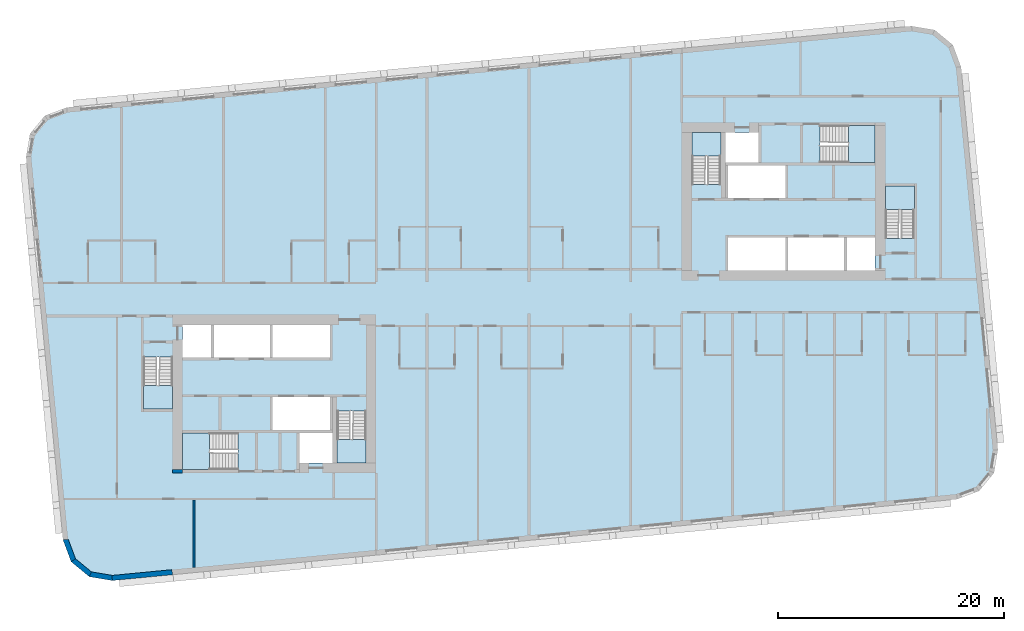
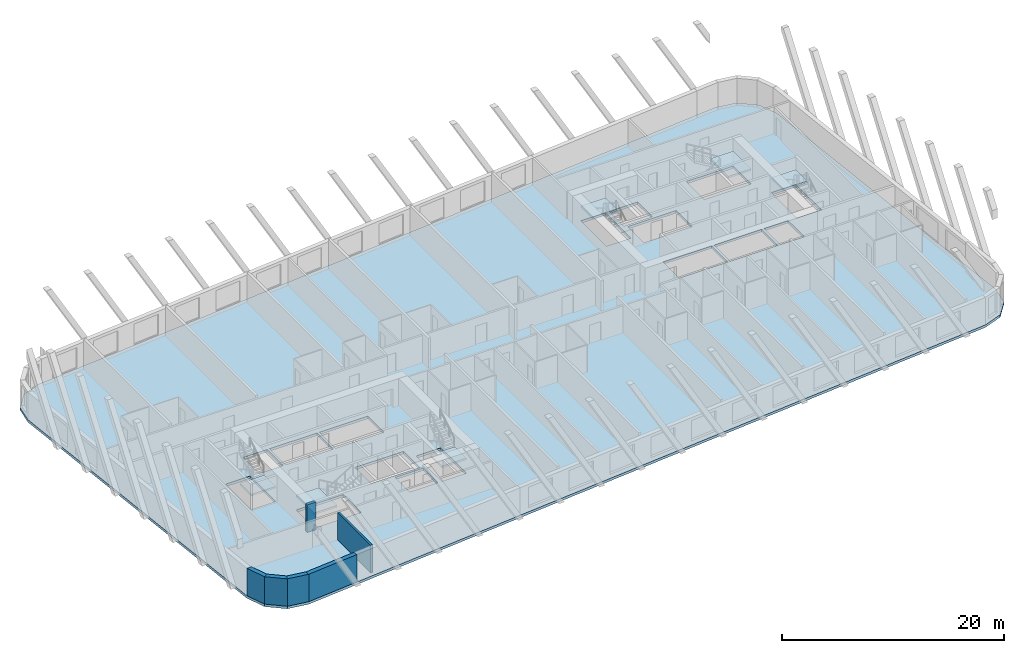
# One storey, part 1 of 13: 7 slabs, 6 walls, 6 elements without a shape of their own.
"""IFC4 building model written with IfcOpenShell, lengths in metres."""

from ifc_helpers import new_model, si_unit, direction, frame, frame_2d, origin, place, context, subcontext, project, spatial, polyline, rectangle, outline, extrude, material, layer, layer_set, type_object, element, aggregate, save


model = new_model("IFC4")

# Units and contexts
model_context = context("Model", 3, precision=1e-05, world=origin(), true_north=direction((0.0, 1.0)))
body_context = subcontext(model_context, "Body", "Model", "MODEL_VIEW")
ifc_project = project(units=[si_unit("LENGTHUNIT", "METRE"), si_unit("AREAUNIT", "SQUARE_METRE"), si_unit("VOLUMEUNIT", "CUBIC_METRE"), si_unit("PLANEANGLEUNIT", "RADIAN"), si_unit("MASSUNIT", "GRAM", prefix="KILO")], contexts=[model_context])

# Site, building, storey
site_placement = place(None, origin())
site = spatial("IfcSite", under=ifc_project, at=site_placement, CompositionType="ELEMENT")
building_placement = place(site_placement, origin())
building = spatial("IfcBuilding", under=site, at=building_placement, Name="Kajstack Hotel Tower", CompositionType="ELEMENT")
storey_placement = place(building_placement, frame((0.0, 0.0, 186.699951171875)))
storey = spatial("IfcBuildingStorey", under=building, at=storey_placement, Name="L44", CompositionType="ELEMENT", Elevation=186.699951171875)

# Slab
ifc_material_1 = material(Name="Concrete C40/50", Category="concrete")
ifc_layer_1 = layer(ifc_material_1, 0.280029296875)
ifc_layer_set_1 = layer_set([ifc_layer_1], Name="RC slab 280 C40/50 guest")
slab_type_1 = type_object("IfcSlabType", Name="RC slab 280 C40/50 guest", PredefinedType="FLOOR", material=ifc_layer_set_1)
slab_1_placement = place(storey_placement, frame((0.0, 0.0, -0.280029296875)))
element("IfcSlab", 1, at=slab_1_placement, inside=storey, type_object=slab_type_1, Name="S-slab-L44", PredefinedType="FLOOR", context=body_context, shape_type="SweptSolid", body=[
    extrude(outline(polyline([(-44.438232421875, 12.444091796875), (-41.1796875, -21.3994140625), (-40.454345703125, -23.3388671875), (-38.856689453125, -24.65576171875), (-36.814697265625, -24.99755859375), (37.840087890625, -17.80908203125), (39.779541015625, -17.083984375), (41.0966796875, -15.486328125), (41.438232421875, -13.444091796875), (38.1796875, 20.3994140625), (37.454345703125, 22.3388671875), (35.856689453125, 23.65576171875), (33.814697265625, 23.99755859375), (-40.840087890625, 16.80908203125), (-42.779541015625, 16.083984375), (-44.0966796875, 14.486328125), (-44.438232421875, 12.444091796875)]), holes=[polyline([(-22.64990234375, -11.699951171875), (-22.64990234375, -8.800048828125), (-17.60009765625, -8.800048828125), (-17.60009765625, -11.699951171875), (-22.64990234375, -11.699951171875)]), polyline([(-27.85009765625, -5.300048828125), (-27.85009765625, -2.39990234375), (-22.89990234375, -2.39990234375), (-22.89990234375, -5.300048828125), (-27.85009765625, -5.300048828125)]), polyline([(-22.64990234375, -5.300048828125), (-22.64990234375, -2.39990234375), (-17.60009765625, -2.39990234375), (-17.60009765625, -5.300048828125), (-22.64990234375, -5.300048828125)]), polyline([(-20.300048828125, -14.60009765625), (-17.35009765625, -14.60009765625), (-17.35009765625, -11.949951171875), (-20.300048828125, -11.949951171875), (-20.300048828125, -14.60009765625)]), polyline([(-30.60009765625, -5.300048828125), (-28.10009765625, -5.300048828125), (-28.10009765625, -2.39990234375), (-30.60009765625, -2.39990234375), (-30.60009765625, -5.300048828125)]), polyline([(17.60009765625, 8.800048828125), (17.60009765625, 11.699951171875), (22.64990234375, 11.699951171875), (22.64990234375, 8.800048828125), (17.60009765625, 8.800048828125)]), polyline([(22.89990234375, 2.39990234375), (22.89990234375, 5.300048828125), (27.85009765625, 5.300048828125), (27.85009765625, 2.39990234375), (22.89990234375, 2.39990234375)]), polyline([(17.60009765625, 2.39990234375), (17.60009765625, 5.300048828125), (22.64990234375, 5.300048828125), (22.64990234375, 2.39990234375), (17.60009765625, 2.39990234375)]), polyline([(20.300048828125, 14.60009765625), (17.35009765625, 14.60009765625), (17.35009765625, 11.949951171875), (20.300048828125, 11.949951171875), (20.300048828125, 14.60009765625)]), polyline([(30.60009765625, 5.300048828125), (28.10009765625, 5.300048828125), (28.10009765625, 2.39990234375), (30.60009765625, 2.39990234375), (30.60009765625, 5.300048828125)]), polyline([(-34.050048828125, -9.85009765625), (-31.5, -9.85009765625), (-31.5, -5.25), (-34.050048828125, -5.25), (-34.050048828125, -9.85009765625)]), polyline([(-16.949951171875, -14.60009765625), (-14.39990234375, -14.60009765625), (-14.39990234375, -10.0), (-16.949951171875, -10.0), (-16.949951171875, -14.60009765625)]), polyline([(-30.60009765625, -15.199951171875), (-25.699951171875, -15.199951171875), (-25.699951171875, -11.949951171875), (-30.60009765625, -11.949951171875), (-30.60009765625, -15.199951171875)]), polyline([(34.050048828125, 9.85009765625), (31.5, 9.85009765625), (31.5, 5.25), (34.050048828125, 5.25), (34.050048828125, 9.85009765625)]), polyline([(16.949951171875, 14.60009765625), (14.39990234375, 14.60009765625), (14.39990234375, 10.0), (16.949951171875, 10.0), (16.949951171875, 14.60009765625)]), polyline([(30.60009765625, 15.199951171875), (25.699951171875, 15.199951171875), (25.699951171875, 11.949951171875), (30.60009765625, 11.949951171875), (30.60009765625, 15.199951171875)])]), origin(), (0.0, 0.0, 1.0), 0.280029296875),
])

# Stair, slab
stair_type_1 = type_object("IfcStairType", Name="Exit stair 1200", PredefinedType="HALF_TURN_STAIR", material=ifc_material_1)
stair_1_placement = place(storey_placement, origin())
stair_1 = element("IfcStair", 2, at=stair_1_placement, inside=storey, type_object=stair_type_1, Name="L44 stair W1", PredefinedType="HALF_TURN_STAIR")
ifc_layer_2 = layer(ifc_material_1, 0.199951171875)
ifc_layer_set_2 = layer_set([ifc_layer_2], Name="Stair landing 200")
slab_type_2 = type_object("IfcSlabType", Name="Stair landing 200", PredefinedType="LANDING", material=ifc_layer_set_2)
slab_2_placement = place(storey_placement, frame((0.0, 0.0, 1.449951171875)))
slab_2 = element("IfcSlab", 3, at=slab_2_placement, type_object=slab_type_2, Name="W1 landing 1", PredefinedType="LANDING", context=body_context, shape_type="SweptSolid", body=[
    extrude(outline(polyline([(-34.050048828125, -7.77001953125), (-34.050048828125, -9.85009765625), (-31.5, -9.85009765625), (-31.5, -7.77001953125), (-34.050048828125, -7.77001953125)])), origin(), (0.0, 0.0, 1.0), 0.2001953125),
])
aggregate(stair_1, [slab_2])

stair_2_placement = place(storey_placement, origin())
stair_2 = element("IfcStair", 4, at=stair_2_placement, inside=storey, type_object=stair_type_1, Name="L44 stair W2", PredefinedType="HALF_TURN_STAIR")
slab_3_placement = place(storey_placement, frame((0.0, 0.0, 1.449951171875)))
slab_3 = element("IfcSlab", 5, at=slab_3_placement, type_object=slab_type_2, Name="W2 landing 1", PredefinedType="LANDING", context=body_context, shape_type="SweptSolid", body=[
    extrude(outline(polyline([(-16.949951171875, -12.52001953125), (-16.949951171875, -14.60009765625), (-14.39990234375, -14.60009765625), (-14.39990234375, -12.52001953125), (-16.949951171875, -12.52001953125)])), origin(), (0.0, 0.0, 1.0), 0.2001953125),
])
aggregate(stair_2, [slab_3])

stair_type_2 = type_object("IfcStairType", Name="Exit stair 1500", PredefinedType="HALF_TURN_STAIR", material=ifc_material_1)
stair_3_placement = place(storey_placement, origin())
stair_3 = element("IfcStair", 6, at=stair_3_placement, inside=storey, type_object=stair_type_2, Name="L44 stair W3", PredefinedType="HALF_TURN_STAIR")
slab_4_placement = place(storey_placement, frame((0.0, 0.0, 1.449951171875)))
slab_4 = element("IfcSlab", 7, at=slab_4_placement, type_object=slab_type_2, Name="W3 landing 1", PredefinedType="LANDING", context=body_context, shape_type="SweptSolid", body=[
    extrude(outline(polyline([(-28.219970703125, -11.949951171875), (-30.60009765625, -11.949951171875), (-30.60009765625, -15.199951171875), (-28.219970703125, -15.199951171875), (-28.219970703125, -11.949951171875)])), origin(), (0.0, 0.0, 1.0), 0.2001953125),
])
aggregate(stair_3, [slab_4])

stair_4_placement = place(storey_placement, origin())
stair_4 = element("IfcStair", 8, at=stair_4_placement, inside=storey, type_object=stair_type_1, Name="L44 stair E1", PredefinedType="HALF_TURN_STAIR")
slab_5_placement = place(storey_placement, frame((0.0, 0.0, 1.449951171875)))
slab_5 = element("IfcSlab", 9, at=slab_5_placement, type_object=slab_type_2, Name="E1 landing 1", PredefinedType="LANDING", context=body_context, shape_type="SweptSolid", body=[
    extrude(outline(polyline([(34.050048828125, 7.77001953125), (34.050048828125, 9.85009765625), (31.5, 9.85009765625), (31.5, 7.77001953125), (34.050048828125, 7.77001953125)])), origin(), (0.0, 0.0, 1.0), 0.2001953125),
])
aggregate(stair_4, [slab_5])

stair_5_placement = place(storey_placement, origin())
stair_5 = element("IfcStair", 10, at=stair_5_placement, inside=storey, type_object=stair_type_1, Name="L44 stair E2", PredefinedType="HALF_TURN_STAIR")
slab_6_placement = place(storey_placement, frame((0.0, 0.0, 1.449951171875)))
slab_6 = element("IfcSlab", 11, at=slab_6_placement, type_object=slab_type_2, Name="E2 landing 1", PredefinedType="LANDING", context=body_context, shape_type="SweptSolid", body=[
    extrude(outline(polyline([(16.949951171875, 12.52001953125), (16.949951171875, 14.60009765625), (14.39990234375, 14.60009765625), (14.39990234375, 12.52001953125), (16.949951171875, 12.52001953125)])), origin(), (0.0, 0.0, 1.0), 0.2001953125),
])
aggregate(stair_5, [slab_6])

stair_6_placement = place(storey_placement, origin())
stair_6 = element("IfcStair", 12, at=stair_6_placement, inside=storey, type_object=stair_type_2, Name="L44 stair E3", PredefinedType="HALF_TURN_STAIR")
slab_7_placement = place(storey_placement, frame((0.0, 0.0, 1.449951171875)))
slab_7 = element("IfcSlab", 13, at=slab_7_placement, type_object=slab_type_2, Name="E3 landing 1", PredefinedType="LANDING", context=body_context, shape_type="SweptSolid", body=[
    extrude(outline(polyline([(28.219970703125, 11.949951171875), (30.60009765625, 11.949951171875), (30.60009765625, 15.199951171875), (28.219970703125, 15.199951171875), (28.219970703125, 11.949951171875)])), origin(), (0.0, 0.0, 1.0), 0.2001953125),
])
aggregate(stair_6, [slab_7])

# Walls
ifc_material_2 = material(Name="Concrete C60/75", Category="concrete")
ifc_layer_3 = layer(ifc_material_2, 0.89990234375)
ifc_layer_set_3 = layer_set([ifc_layer_3], Name="Core wall 900")
wall_type_1 = type_object("IfcWallType", Name="Core wall 900", PredefinedType="SHEAR", material=ifc_layer_set_3)
wall_1_placement = place(storey_placement, frame((-31.5, -15.35009765625, 0.0), z_axis=(0.0, 0.0, 1.0), x_axis=(1.0, 0.0, 0.0)))
element("IfcWall", 14, at=wall_1_placement, inside=storey, type_object=wall_type_1, Name="Core wall W RSW", PredefinedType="SHEAR", context=body_context, shape_type="SweptSolid", body=[
    extrude(rectangle(XDim=0.89990234375, YDim=0.300048828125, at=frame_2d((0.449951171875, 0.0))), origin(), (0.0, 0.0, 1.0), 3.02001953125),
])
ifc_material_3 = material(Name="Terracotta-faced brick masonry", Category="masonry")
ifc_layer_4 = layer(ifc_material_3, 0.449951171875)
ifc_layer_set_4 = layer_set([ifc_layer_4], Name="EW-TERRA")
wall_type_2 = type_object("IfcWallType", Name="EW-TERRA", PredefinedType="SOLIDWALL", material=ifc_layer_set_4)
wall_2_placement = place(storey_placement, frame((-40.96875, -21.320556640625, 0.0), z_axis=(0.0, 0.0, 1.0), x_axis=(0.350192909346, -0.936677599948, 0.0)))
element("IfcWall", 15, at=wall_2_placement, inside=storey, type_object=wall_type_2, Name="E-wall-L44-01-00", PredefinedType="SOLIDWALL", context=body_context, shape_type="SweptSolid", body=[
    extrude(outline(polyline([(0.0, -0.22509765625), (2.070556640625, -0.22509765625), (1.949951171875, 0.22509765625), (0.12060546875, 0.224853515625), (0.0, -0.22509765625)])), origin(), (0.0, 0.0, 1.0), 3.02001953125),
])
wall_3_placement = place(storey_placement, frame((-40.311279296875, -23.165283203125, 0.0), z_axis=(0.0, 0.0, 1.0), x_axis=(0.771651049663, -0.636046112757, 0.0)))
element("IfcWall", 16, at=wall_3_placement, inside=storey, type_object=wall_type_2, Name="E-wall-L44-02-00", PredefinedType="SOLIDWALL", context=body_context, shape_type="SweptSolid", body=[
    extrude(outline(polyline([(0.0, -0.224853515625), (2.0703125, -0.22509765625), (1.94970703125, 0.224853515625), (0.12060546875, 0.22509765625), (0.0, -0.224853515625)])), origin(), (0.0, 0.0, 1.0), 3.02001953125),
])
wall_4_placement = place(storey_placement, frame((-38.819580078125, -24.433837890625, 0.0), z_axis=(0.0, 0.0, 1.0), x_axis=(0.986278951104, -0.165087342366, 0.0)))
element("IfcWall", 17, at=wall_4_placement, inside=storey, type_object=wall_type_2, Name="E-wall-L44-03-00", PredefinedType="SOLIDWALL", context=body_context, shape_type="SweptSolid", body=[
    extrude(outline(polyline([(0.0, -0.22509765625), (2.070556640625, -0.224853515625), (1.949951171875, 0.22509765625), (0.12060546875, 0.224853515625), (0.0, -0.22509765625)])), origin(), (0.0, 0.0, 1.0), 3.02001953125),
])
wall_5_placement = place(storey_placement, frame((-36.836181640625, -24.7734375, 0.0), z_axis=(0.0, 0.0, 1.0), x_axis=(0.995396705659, 0.095840483948, 0.0)))
element("IfcWall", 18, at=wall_5_placement, inside=storey, type_object=wall_type_2, Name="E-wall-L44-04-00", PredefinedType="SOLIDWALL", context=body_context, shape_type="SweptSolid", body=[
    extrude(rectangle(XDim=5.33935546875, YDim=0.449951171875, at=frame_2d((2.669677734375, 0.0))), origin(), (0.0, 0.0, 1.0), 3.02001953125),
])
ifc_material_4 = material(Name="Gypsum board on steel studs, mineral wool", Category="steel")
ifc_layer_5 = layer(ifc_material_4, 0.199951171875)
ifc_layer_set_5 = layer_set([ifc_layer_5], Name="Service partition 200")
wall_type_3 = type_object("IfcWallType", Name="Service partition 200", PredefinedType="PARTITIONING", material=ifc_layer_set_5)
wall_6_placement = place(storey_placement, frame((-29.60009765625, -23.851806640625, 0.0), z_axis=(0.0, 0.0, 1.0), x_axis=(0.0, 1.0, 0.0)))
element("IfcWall", 19, at=wall_6_placement, inside=storey, type_object=wall_type_3, Name="Partition W SLP0", PredefinedType="PARTITIONING", context=body_context, shape_type="SweptSolid", body=[
    extrude(rectangle(XDim=5.951904296875, YDim=0.199951171875, at=frame_2d((2.97607421875, 0.0))), origin(), (0.0, 0.0, 1.0), 3.02001953125),
])

save(model, "model.ifc")
